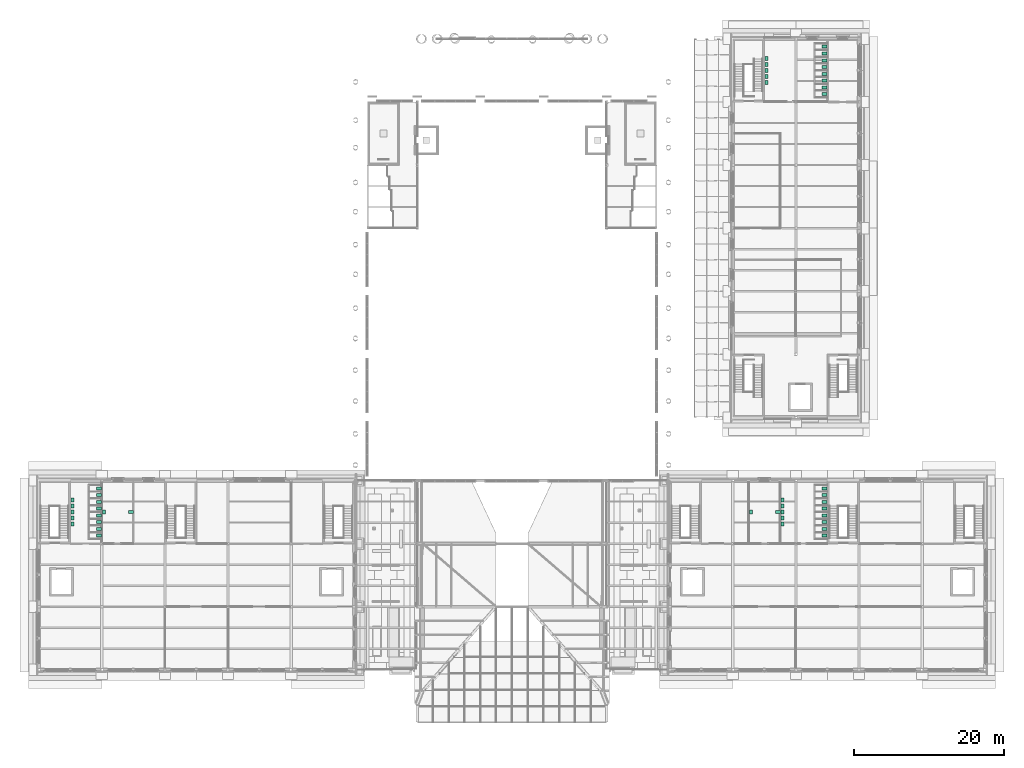
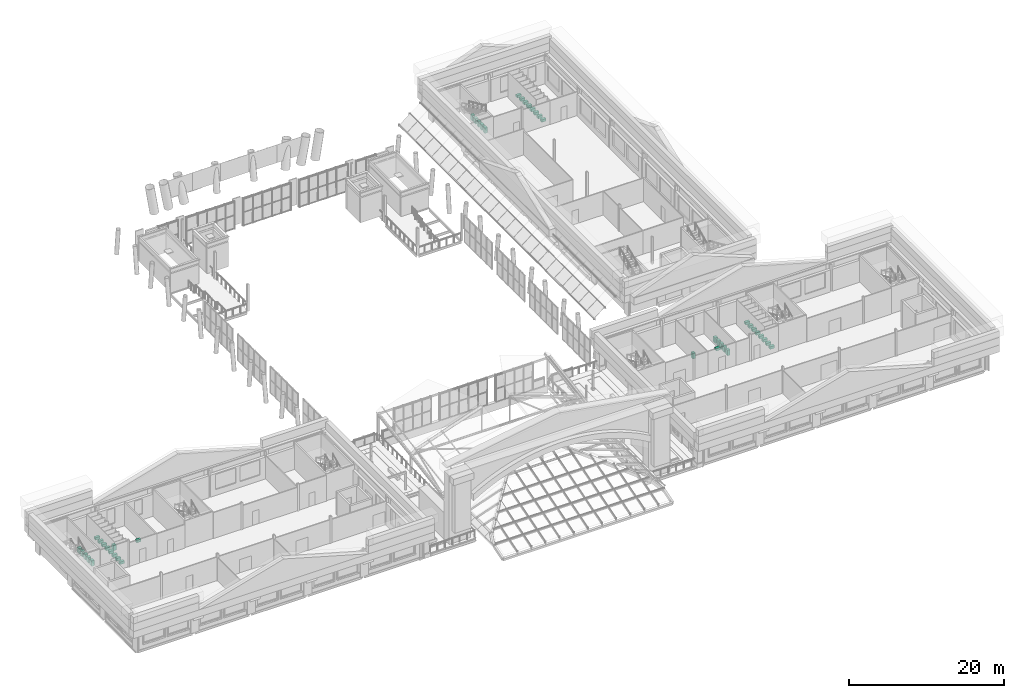
# One storey, part 75 of 76: 43 sanitary terminals.
"""IFC4 building model written with IfcOpenShell, lengths in metres."""

import ifcopenshell
import ifcopenshell.guid

model = None  # the IFC model being written
_history = None  # IfcOwnerHistory: only IFC2X3 demands one
_inside = {}  # id of a spatial element -> (the spatial element, [elements in it])
_under = {}  # id of a project, library or spatial element -> (it, [spatial elements below it])
_declared = {}  # id of a project -> (the project, [libraries it declares])
_typed = {}  # id of a type object -> (the type object, [elements of that type])
_made_of = {}  # id of a material, layer set ... -> (it, [elements and type objects made of it])


def new_model(schema):
    """Start an empty IFC model of exactly this schema.

    Asked for "IFC4X3", IfcOpenShell would pick the latest addendum, in which some entities
    have other attributes; the version numbers below select the first issue.
    IFC2X3 requires an IfcOwnerHistory on every rooted entity: one is made here for all.
    """
    global model, _history
    if schema == "IFC4X3":
        model = ifcopenshell.file(schema_version=(4, 3, 0, 0))
    else:
        model = ifcopenshell.file(schema=schema)
    _inside.clear()
    _under.clear()
    _declared.clear()
    _typed.clear()
    _made_of.clear()
    _history = None
    if model.schema == "IFC2X3":
        org = make("IfcOrganization", Name="unknown")
        user = make(
            "IfcPersonAndOrganization",
            ThePerson=make("IfcPerson", FamilyName="unknown"),
            TheOrganization=org,
        )
        app = make(
            "IfcApplication",
            ApplicationDeveloper=org,
            Version="unknown",
            ApplicationFullName="unknown",
            ApplicationIdentifier="unknown",
        )
        _history = make(
            "IfcOwnerHistory",
            OwningUser=user,
            OwningApplication=app,
            ChangeAction="ADDED",
            CreationDate=0,
        )
    return model


def make(cls, **values):
    """One entity of the class cls with the attributes given. An attribute that is None is left unset."""
    return model.create_entity(
        cls, **{name: value for name, value in values.items() if value is not None}
    )


def rooted(cls, **values):
    """An entity with a GlobalId (a new one), such as an element, a storey or a relation."""
    return make(cls, GlobalId=ifcopenshell.guid.new(), OwnerHistory=_history, **values)


def si_unit(unit_type, name, prefix=None):
    """IfcSIUnit, for example si_unit("LENGTHUNIT", "METRE", prefix="MILLI")."""
    return make("IfcSIUnit", UnitType=unit_type, Prefix=prefix, Name=name)


def assignment(units):
    """IfcUnitAssignment: the units of a project."""
    return None if units is None else make("IfcUnitAssignment", Units=units)


def point(xyz):
    """IfcCartesianPoint."""
    return None if xyz is None else make("IfcCartesianPoint", Coordinates=xyz)


def direction(xyz):
    """IfcDirection."""
    return None if xyz is None else make("IfcDirection", DirectionRatios=xyz)


def frame(location, z_axis=None, x_axis=None):
    """IfcAxis2Placement3D, a coordinate frame: its origin and axes. An axis left out is left unset."""
    return make(
        "IfcAxis2Placement3D",
        Location=point(location),
        Axis=direction(z_axis),
        RefDirection=direction(x_axis),
    )


def frame_2d(location, x_axis=None):
    """IfcAxis2Placement2D, a coordinate frame in the plane: its origin and x axis."""
    return make(
        "IfcAxis2Placement2D", Location=point(location), RefDirection=direction(x_axis)
    )


def origin():
    """The frame at (0, 0, 0) with its axes left unset."""
    return frame((0.0, 0.0, 0.0))


def origin_2d():
    """The frame at (0, 0) in the plane with its x axis left unset."""
    return frame_2d((0.0, 0.0))


def place(relative_to, where):
    """IfcLocalPlacement: puts the frame where relative to a parent placement (None: the world)."""
    return make(
        "IfcLocalPlacement", PlacementRelTo=relative_to, RelativePlacement=where
    )


def context(
    kind, dimensions, precision=None, world=None, true_north=None, identifier=None
):
    """IfcGeometricRepresentationContext, for example the 3D "Model" context."""
    return make(
        "IfcGeometricRepresentationContext",
        ContextIdentifier=identifier,
        ContextType=kind,
        CoordinateSpaceDimension=dimensions,
        Precision=precision,
        WorldCoordinateSystem=world,
        TrueNorth=true_north,
    )


def subcontext(parent, identifier, kind, view, scale=None):
    """IfcGeometricRepresentationSubContext, for example "Body" below "Model"."""
    return make(
        "IfcGeometricRepresentationSubContext",
        ContextIdentifier=identifier,
        ContextType=kind,
        ParentContext=parent,
        TargetScale=scale,
        TargetView=view,
    )


def project(units=None, contexts=None):
    """IfcProject with its units and contexts."""
    return rooted(
        "IfcProject",
        Name="project",
        RepresentationContexts=contexts,
        UnitsInContext=assignment(units),
    )


def spatial(cls, under=None, at=None, **own):
    """A site, building, storey or space (cls), placed at a placement, below another one or the project."""
    s = rooted(cls, ObjectPlacement=at, **own)
    if under is not None:
        _under.setdefault(under.id(), (under, []))[1].append(s)
    return s


def profile(cls, at=None, kind="AREA", **sizes):
    """A parametric profile (cls). Its sizes go by their IFC names, for example OverallWidth=200.0."""
    return make(cls, ProfileType=kind, Position=at, **sizes)


def rectangle(**sizes):
    """IfcRectangleProfileDef."""
    return profile("IfcRectangleProfileDef", **sizes)


def extrude(swept, where, along, depth):
    """IfcExtrudedAreaSolid: the profile swept, set in the frame where, extruded along a direction by depth."""
    return make(
        "IfcExtrudedAreaSolid",
        SweptArea=swept,
        Position=where,
        ExtrudedDirection=direction(along),
        Depth=depth,
    )


def shape(context_of_items, identifier, shape_type, items):
    """IfcShapeRepresentation: the items that make up one representation, for example the "Body"."""
    return make(
        "IfcShapeRepresentation",
        ContextOfItems=context_of_items,
        RepresentationIdentifier=identifier,
        RepresentationType=shape_type,
        Items=items,
    )


def made_of(thing, what):
    """Note that an element or type object is made of a material, layer set ...; save() writes the relation."""
    if what is not None:
        _made_of.setdefault(what.id(), (what, []))[1].append(thing)
    return thing


def element(
    cls,
    number,
    at=None,
    inside=None,
    cuts=None,
    type_object=None,
    material=None,
    context=None,
    identifier="Body",
    shape_type=None,
    held_by="IfcProductDefinitionShape",
    body=None,
    shapes=None,
    **own,
):
    """One element of the class cls, such as IfcWall. Its Tag is "e" and its number.

    at: its placement. inside: the storey or other place that contains it. cuts: it is an
    opening in that element (IfcRelVoidsElement). A single representation is given by context,
    identifier, shape_type and body (its items); several are given by shapes. held_by: the class
    of the entity that holds the representations. save() writes the other relations.
    """
    e = rooted(cls, Tag="e%d" % number, ObjectPlacement=at, **own)
    if body is not None:
        shapes = [shape(context, identifier, shape_type, body)]
    if shapes is not None:
        e.Representation = make(held_by, Representations=shapes)
    if inside is not None:
        _inside.setdefault(inside.id(), (inside, []))[1].append(e)
    if cuts is not None:
        rooted(
            "IfcRelVoidsElement", RelatingBuildingElement=cuts, RelatedOpeningElement=e
        )
    if type_object is not None:
        _typed.setdefault(type_object.id(), (type_object, []))[1].append(e)
    return made_of(e, material)


def aggregate(whole, parts):
    """IfcRelAggregates: a whole, such as a stair, and the parts it consists of."""
    return rooted("IfcRelAggregates", RelatingObject=whole, RelatedObjects=parts)


def save(model, path):
    """Write the relations noted so far, then the file.

    IfcRelAggregates (storeys below a building ...), IfcRelContainedInSpatialStructure (elements
    in a storey), IfcRelDefinesByType, IfcRelAssociatesMaterial and IfcRelDeclares: one each for
    every whole, place, type object, material and project.
    """
    for whole, parts in _under.values():
        aggregate(whole, parts)
    for where, things in _inside.values():
        rooted(
            "IfcRelContainedInSpatialStructure",
            RelatedElements=things,
            RelatingStructure=where,
        )
    for kind, things in _typed.values():
        rooted("IfcRelDefinesByType", RelatedObjects=things, RelatingType=kind)
    for what, things in _made_of.values():
        rooted("IfcRelAssociatesMaterial", RelatedObjects=things, RelatingMaterial=what)
    for by, libraries in _declared.values():
        rooted("IfcRelDeclares", RelatingContext=by, RelatedDefinitions=libraries)
    model.write(path)


model = new_model("IFC4")

# Units and contexts
model_context = context("Model", 3, precision=1e-05, world=origin(), true_north=direction((0.0, 1.0)))
body_context = subcontext(model_context, "Body", "Model", "MODEL_VIEW")
ifc_project = project(units=[si_unit("LENGTHUNIT", "METRE"), si_unit("AREAUNIT", "SQUARE_METRE"), si_unit("VOLUMEUNIT", "CUBIC_METRE"), si_unit("PLANEANGLEUNIT", "RADIAN"), si_unit("MASSUNIT", "GRAM", prefix="KILO")], contexts=[model_context])

# Site, building, storey
site_placement = place(None, origin())
site = spatial("IfcSite", under=ifc_project, at=site_placement, CompositionType="ELEMENT")
building_placement = place(site_placement, origin())
building = spatial("IfcBuilding", under=site, at=building_placement, Name="Sava Quay Ferry Terminal", CompositionType="ELEMENT")
storey_placement = place(building_placement, frame((0.0, 0.0, 10.800048828125)))
storey = spatial("IfcBuildingStorey", under=building, at=storey_placement, Name="L02", CompositionType="ELEMENT", Elevation=10.800048828125)

# Sanitary terminals
for number, where, z_axis, x_axis, name in (
    (1, (8.0, 43.050048828125, 0.0), (0.0, 0.0, 1.0), (1.0, 0.0, 0.0), "WC pan"),
    (2, (8.0, 43.949951171875, 0.0), (0.0, 0.0, 1.0), (1.0, 0.0, 0.0), "WC pan"),
    (3, (8.0, 44.85009765625, 0.0), (0.0, 0.0, 1.0), (1.0, 0.0, 0.0), "WC pan"),
    (4, (8.0, 45.75, 0.0), (0.0, 0.0, 1.0), (1.0, 0.0, 0.0), "WC pan"),
    (5, (8.0, 46.64990234375, 0.0), (0.0, 0.0, 1.0), (1.0, 0.0, 0.0), "WC pan"),
    (6, (8.0, 47.550048828125, 0.0), (0.0, 0.0, 1.0), (1.0, 0.0, 0.0), "WC pan"),
    (7, (8.0, 48.449951171875, 0.0), (0.0, 0.0, 1.0), (1.0, 0.0, 0.0), "WC pan"),
    (8, (8.0, 49.35009765625, 0.0), (0.0, 0.0, 1.0), (1.0, 0.0, 0.0), "WC pan"),
    (9, (104.60009765625, 43.050048828125, 0.0), (0.0, 0.0, 1.0), (1.0, 0.0, 0.0), "WC pan"),
    (10, (104.60009765625, 43.949951171875, 0.0), (0.0, 0.0, 1.0), (1.0, 0.0, 0.0), "WC pan"),
    (11, (104.60009765625, 44.85009765625, 0.0), (0.0, 0.0, 1.0), (1.0, 0.0, 0.0), "WC pan"),
    (12, (104.60009765625, 45.75, 0.0), (0.0, 0.0, 1.0), (1.0, 0.0, 0.0), "WC pan"),
    (13, (104.60009765625, 46.64990234375, 0.0), (0.0, 0.0, 1.0), (1.0, 0.0, 0.0), "WC pan"),
    (14, (104.60009765625, 47.550048828125, 0.0), (0.0, 0.0, 1.0), (1.0, 0.0, 0.0), "WC pan"),
    (15, (104.60009765625, 48.449951171875, 0.0), (0.0, 0.0, 1.0), (1.0, 0.0, 0.0), "WC pan"),
    (16, (104.60009765625, 49.35009765625, 0.0), (0.0, 0.0, 1.0), (1.0, 0.0, 0.0), "WC pan"),
    (17, (104.60009765625, 101.85009765625, 0.0), (0.0, 0.0, 1.0), (1.0, 0.0, 0.0), "WC pan"),
    (18, (104.60009765625, 102.75, 0.0), (0.0, 0.0, 1.0), (1.0, 0.0, 0.0), "WC pan"),
    (19, (104.60009765625, 103.64990234375, 0.0), (0.0, 0.0, 1.0), (1.0, 0.0, 0.0), "WC pan"),
    (20, (104.60009765625, 104.550048828125, 0.0), (0.0, 0.0, 1.0), (1.0, 0.0, 0.0), "WC pan"),
    (21, (104.60009765625, 105.449951171875, 0.0), (0.0, 0.0, 1.0), (1.0, 0.0, 0.0), "WC pan"),
    (22, (104.60009765625, 106.35009765625, 0.0), (0.0, 0.0, 1.0), (1.0, 0.0, 0.0), "WC pan"),
    (23, (104.60009765625, 107.25, 0.0), (0.0, 0.0, 1.0), (1.0, 0.0, 0.0), "WC pan"),
    (24, (104.60009765625, 108.14990234375, 0.0), (0.0, 0.0, 1.0), (1.0, 0.0, 0.0), "WC pan"),
):
    element("IfcSanitaryTerminal", number, at=place(storey_placement, frame(where, z_axis=z_axis, x_axis=x_axis)), inside=storey, Name=name, PredefinedType="WCSEAT", context=body_context, shape_type="SweptSolid", body=[
        extrude(rectangle(XDim=0.64990234375, YDim=0.39990234375, at=origin_2d()), origin(), (0.0, 0.0, 1.0), 0.39990234375),
    ])
for number, where, z_axis, x_axis, name in (
    (25, (4.5, 44.60009765625, 0.0), (0.0, 0.0, 1.0), (1.0, 0.0, 0.0), "Wash basin"),
    (26, (4.5, 45.39990234375, 0.0), (0.0, 0.0, 1.0), (1.0, 0.0, 0.0), "Wash basin"),
    (27, (4.5, 46.199951171875, 0.0), (0.0, 0.0, 1.0), (1.0, 0.0, 0.0), "Wash basin"),
    (28, (4.5, 47.0, 0.0), (0.0, 0.0, 1.0), (1.0, 0.0, 0.0), "Wash basin"),
    (29, (4.5, 47.800048828125, 0.0), (0.0, 0.0, 1.0), (1.0, 0.0, 0.0), "Wash basin"),
):
    element("IfcSanitaryTerminal", number, at=place(storey_placement, frame(where, z_axis=z_axis, x_axis=x_axis)), inside=storey, Name=name, PredefinedType="WASHHANDBASIN", context=body_context, shape_type="SweptSolid", body=[
        extrude(rectangle(XDim=0.39990234375, YDim=0.5, at=origin_2d()), origin(), (0.0, 0.0, 1.0), 0.85009765625),
    ])
sanitary_terminal_1_placement = place(storey_placement, frame((12.300048828125, 46.199951171875, 0.0), z_axis=(0.0, 0.0, 1.0), x_axis=(1.0, 0.0, 0.0)))
element("IfcSanitaryTerminal", 30, at=sanitary_terminal_1_placement, inside=storey, Name="WC pan", PredefinedType="WCSEAT", context=body_context, shape_type="SweptSolid", body=[
    extrude(rectangle(XDim=0.64990234375, YDim=0.39990234375, at=origin_2d()), origin(), (0.0, 0.0, 1.0), 0.39990234375),
])
sanitary_terminal_2_placement = place(storey_placement, frame((8.699951171875, 46.199951171875, 0.0), z_axis=(0.0, 0.0, 1.0), x_axis=(1.0, 0.0, 0.0)))
element("IfcSanitaryTerminal", 31, at=sanitary_terminal_2_placement, inside=storey, Name="Wash basin", PredefinedType="WASHHANDBASIN", context=body_context, shape_type="SweptSolid", body=[
    extrude(rectangle(XDim=0.39990234375, YDim=0.5, at=origin_2d()), origin(), (0.0, 0.0, 1.0), 0.85009765625),
])
sanitary_terminal_3_placement = place(storey_placement, frame((98.39990234375, 46.199951171875, 0.0), z_axis=(0.0, 0.0, 1.0), x_axis=(1.0, 0.0, 0.0)))
element("IfcSanitaryTerminal", 32, at=sanitary_terminal_3_placement, inside=storey, Name="WC pan", PredefinedType="WCSEAT", context=body_context, shape_type="SweptSolid", body=[
    extrude(rectangle(XDim=0.64990234375, YDim=0.39990234375, at=origin_2d()), origin(), (0.0, 0.0, 1.0), 0.39990234375),
])
for number, where, z_axis, x_axis, name in (
    (33, (94.800048828125, 46.199951171875, 0.0), (0.0, 0.0, 1.0), (1.0, 0.0, 0.0), "Wash basin"),
    (34, (99.0, 44.60009765625, 0.0), (0.0, 0.0, 1.0), (1.0, 0.0, 0.0), "Wash basin"),
    (35, (99.0, 45.39990234375, 0.0), (0.0, 0.0, 1.0), (1.0, 0.0, 0.0), "Wash basin"),
    (36, (99.0, 46.199951171875, 0.0), (0.0, 0.0, 1.0), (1.0, 0.0, 0.0), "Wash basin"),
    (37, (99.0, 47.0, 0.0), (0.0, 0.0, 1.0), (1.0, 0.0, 0.0), "Wash basin"),
    (38, (99.0, 47.800048828125, 0.0), (0.0, 0.0, 1.0), (1.0, 0.0, 0.0), "Wash basin"),
    (39, (96.89990234375, 103.39990234375, 0.0), (0.0, 0.0, 1.0), (1.0, 0.0, 0.0), "Wash basin"),
    (40, (96.89990234375, 104.199951171875, 0.0), (0.0, 0.0, 1.0), (1.0, 0.0, 0.0), "Wash basin"),
    (41, (96.89990234375, 105.0, 0.0), (0.0, 0.0, 1.0), (1.0, 0.0, 0.0), "Wash basin"),
    (42, (96.89990234375, 105.800048828125, 0.0), (0.0, 0.0, 1.0), (1.0, 0.0, 0.0), "Wash basin"),
    (43, (96.89990234375, 106.60009765625, 0.0), (0.0, 0.0, 1.0), (1.0, 0.0, 0.0), "Wash basin"),
):
    element("IfcSanitaryTerminal", number, at=place(storey_placement, frame(where, z_axis=z_axis, x_axis=x_axis)), inside=storey, Name=name, PredefinedType="WASHHANDBASIN", context=body_context, shape_type="SweptSolid", body=[
        extrude(rectangle(XDim=0.39990234375, YDim=0.5, at=origin_2d()), origin(), (0.0, 0.0, 1.0), 0.85009765625),
    ])

save(model, "model.ifc")
